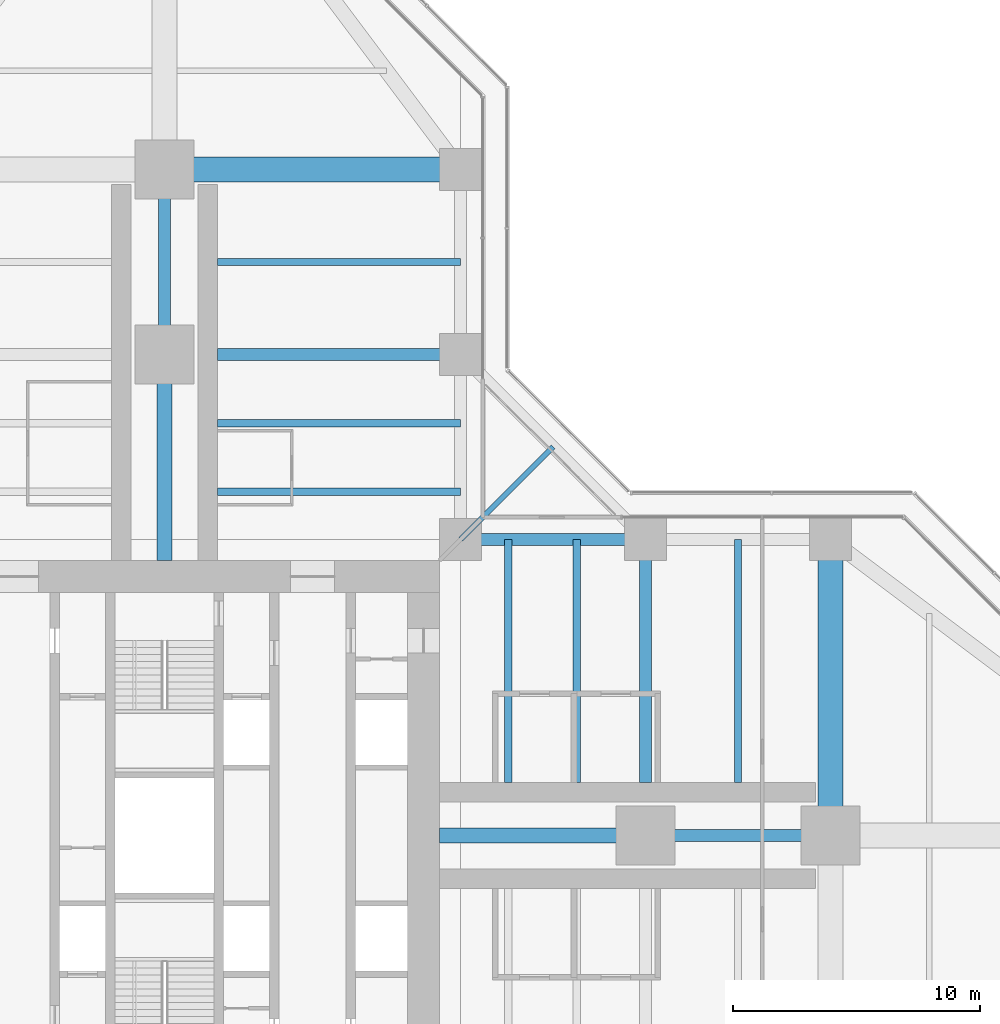
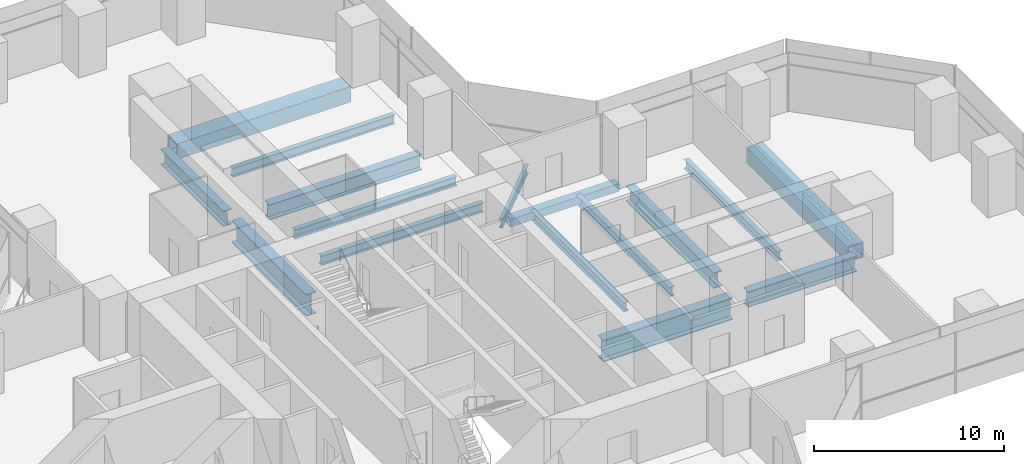
# One storey, part 10 of 22: 16 beams.
"""IFC4 building model written with IfcOpenShell, lengths in metres."""

from ifc_helpers import new_model, si_unit, direction, frame, origin, origin_2d, place, context, subcontext, project, spatial, hollow_rectangle, i_section, extrude, material, material_profile, profile_set, type_object, element, save


model = new_model("IFC4")

# Units and contexts
model_context = context("Model", 3, precision=1e-05, world=origin(), true_north=direction((0.0, 1.0)))
body_context = subcontext(model_context, "Body", "Model", "MODEL_VIEW")
ifc_project = project(units=[si_unit("LENGTHUNIT", "METRE"), si_unit("AREAUNIT", "SQUARE_METRE"), si_unit("VOLUMEUNIT", "CUBIC_METRE"), si_unit("PLANEANGLEUNIT", "RADIAN"), si_unit("MASSUNIT", "GRAM", prefix="KILO")], contexts=[model_context])

# Site, building, storey
site_placement = place(None, origin())
site = spatial("IfcSite", under=ifc_project, at=site_placement, CompositionType="ELEMENT")
building_placement = place(site_placement, origin())
building = spatial("IfcBuilding", under=site, at=building_placement, Name="Mizan Broadcast Tower", CompositionType="ELEMENT")
storey_placement = place(building_placement, frame((0.0, 0.0, 59.10009765625)))
storey = spatial("IfcBuildingStorey", under=building, at=storey_placement, Name="L11", CompositionType="ELEMENT", Elevation=59.10009765625)

# Beams
ifc_material_1 = material(Name="Steel S355", Category="steel")
ifc_material_profile_1 = material_profile(ifc_material_1, hollow_rectangle(XDim=0.5, YDim=0.5, WallThickness=0.030029296875, at=origin_2d()), Name="BOX 500x500x30")
ifc_profile_set_1 = profile_set([ifc_material_profile_1], Name="Steel S355")
beam_type_1 = type_object("IfcBeamType", Name="EDGE BEAM BOX 500x500x30", PredefinedType="SPANDREL", material=ifc_profile_set_1)
beam_1_placement = place(storey_placement, frame((12.449951171875, 12.0, -0.380126953125), z_axis=(1.0, 0.0, 0.0), x_axis=(0.0, 1.0, 0.0)))
element("IfcBeam", 1, at=beam_1_placement, inside=storey, type_object=beam_type_1, Name="Edge beam BOX 500x500x30 L11 east arm", PredefinedType="SPANDREL", context=body_context, shape_type="SweptSolid", body=[
    extrude(hollow_rectangle(XDim=0.5, YDim=0.5, WallThickness=0.030029296875, at=origin_2d()), origin(), (0.0, 0.0, 1.0), 6.60009765625),
])
ifc_material_2 = material(Name="Steel S460", Category="steel")
ifc_material_profile_2 = material_profile(ifc_material_2, hollow_rectangle(XDim=1.0, YDim=1.0, WallThickness=0.080078125, at=origin_2d()), Name="BOX 1000x1000x80")
ifc_profile_set_2 = profile_set([ifc_material_profile_2], Name="Steel S460")
beam_type_2 = type_object("IfcBeamType", Name="GIRDER BOX 1000x1000x80", PredefinedType="BEAM", material=ifc_profile_set_2)
for number, where, z_axis, x_axis, name in (
    (2, (27.0, 11.280029296875, -0.630126953125), (0.0, -1.0, 0.0), (1.0, 0.0, 0.0), "Girder BOX 1000x1000x80 L11 east arm"),
    (3, (11.280029296875, 27.0, -0.630126953125), (-1.0, 0.0, 0.0), (0.0, -1.0, 0.0), "Girder BOX 1000x1000x80 L11 north arm"),
):
    element("IfcBeam", number, at=place(storey_placement, frame(where, z_axis=z_axis, x_axis=x_axis)), inside=storey, type_object=beam_type_2, Name=name, PredefinedType="BEAM", context=body_context, shape_type="SweptSolid", body=[
        extrude(hollow_rectangle(XDim=1.0, YDim=1.0, WallThickness=0.080078125, at=origin_2d()), origin(), (0.0, 0.0, 1.0), 10.56005859375),
    ])
ifc_material_3 = material(Name="Steel S460", Category="steel")
ifc_material_profile_3 = material_profile(ifc_material_3, i_section(OverallWidth=0.5, OverallDepth=1.0, WebThickness=0.02490234375, FlangeThickness=0.050048828125, at=origin_2d()), Name="WPG 1000x500")
ifc_profile_set_3 = profile_set([ifc_material_profile_3], Name="Steel S460")
beam_type_3 = type_object("IfcBeamType", Name="GIRDER WPG 1000x500", PredefinedType="BEAM", material=ifc_profile_set_3)
beam_2_placement = place(storey_placement, frame((19.949951171875, 0.0, -0.630126953125), z_axis=(1.0, 0.0, 0.0), x_axis=(0.0, 1.0, 0.0)))
element("IfcBeam", 4, at=beam_2_placement, inside=storey, type_object=beam_type_3, Name="Girder WPG 1000x500 L11 east arm", PredefinedType="BEAM", context=body_context, shape_type="SweptSolid", body=[
    extrude(i_section(OverallWidth=0.5, OverallDepth=1.0, WebThickness=0.02490234375, FlangeThickness=0.050048828125, at=origin_2d()), origin(), (0.0, 0.0, 1.0), 6.60009765625),
])
beam_3_placement = place(storey_placement, frame((19.5, 11.408935546875, -0.630126953125), z_axis=(0.0, -1.0, 0.0), x_axis=(1.0, 0.0, 0.0)))
element("IfcBeam", 5, at=beam_3_placement, inside=storey, type_object=beam_type_3, Name="Girder WPG 1000x500 L11 east arm", PredefinedType="BEAM", context=body_context, shape_type="SweptSolid", body=[
    extrude(i_section(OverallWidth=0.5, OverallDepth=1.0, WebThickness=0.02490234375, FlangeThickness=0.050048828125, at=origin_2d()), origin(), (0.0, 0.0, 1.0), 9.259033203125),
])
beam_4_placement = place(storey_placement, frame((0.0, 19.949951171875, -0.630126953125), z_axis=(0.0, 1.0, 0.0), x_axis=(-1.0, 0.0, 0.0)))
element("IfcBeam", 6, at=beam_4_placement, inside=storey, type_object=beam_type_3, Name="Girder WPG 1000x500 L11 north arm", PredefinedType="BEAM", context=body_context, shape_type="SweptSolid", body=[
    extrude(i_section(OverallWidth=0.5, OverallDepth=1.0, WebThickness=0.02490234375, FlangeThickness=0.050048828125, at=origin_2d()), origin(), (0.0, 0.0, 1.0), 6.60009765625),
])
beam_5_placement = place(storey_placement, frame((11.408935546875, 19.5, -0.630126953125), z_axis=(-1.0, 0.0, 0.0), x_axis=(0.0, -1.0, 0.0)))
element("IfcBeam", 7, at=beam_5_placement, inside=storey, type_object=beam_type_3, Name="Girder WPG 1000x500 L11 north arm", PredefinedType="BEAM", context=body_context, shape_type="SweptSolid", body=[
    extrude(i_section(OverallWidth=0.5, OverallDepth=1.0, WebThickness=0.02490234375, FlangeThickness=0.050048828125, at=origin_2d()), origin(), (0.0, 0.0, 1.0), 9.259033203125),
])
ifc_material_4 = material(Name="Steel S460", Category="steel")
ifc_material_profile_4 = material_profile(ifc_material_4, i_section(OverallWidth=0.60009765625, OverallDepth=1.39990234375, WebThickness=0.02490234375, FlangeThickness=0.06005859375, at=origin_2d()), Name="WPG 1400x600")
ifc_profile_set_4 = profile_set([ifc_material_profile_4], Name="Steel S460")
beam_type_4 = type_object("IfcBeamType", Name="GIRDER WPG 1400x600", PredefinedType="BEAM", material=ifc_profile_set_4)
for number, where, z_axis, x_axis, name in (
    (8, (11.14990234375, 0.0, -0.830078125), (1.0, 0.0, 0.0), (0.0, 1.0, 0.0), "Girder WPG 1400x600 L11 east arm"),
    (9, (0.0, 11.14990234375, -0.830078125), (0.0, 1.0, 0.0), (-1.0, 0.0, 0.0), "Girder WPG 1400x600 L11 north arm"),
):
    element("IfcBeam", number, at=place(storey_placement, frame(where, z_axis=z_axis, x_axis=x_axis)), inside=storey, type_object=beam_type_4, Name=name, PredefinedType="BEAM", context=body_context, shape_type="SweptSolid", body=[
        extrude(i_section(OverallWidth=0.60009765625, OverallDepth=1.39990234375, WebThickness=0.02490234375, FlangeThickness=0.06005859375, at=origin_2d()), origin(), (0.0, 0.0, 1.0), 7.84912109375),
    ])
ifc_material_5 = material(Name="Steel S355", Category="steel")
ifc_material_profile_5 = material_profile(ifc_material_5, i_section(OverallWidth=0.300048828125, OverallDepth=0.590087890625, WebThickness=0.012939453125, FlangeThickness=0.02490234375, FilletRadius=0.027099609375, at=origin_2d()), Name="HEA 600")
ifc_profile_set_5 = profile_set([ifc_material_profile_5], Name="Steel S355")
beam_type_5 = type_object("IfcBeamType", Name="SECONDARY BEAM HEA 600", PredefinedType="JOIST", material=ifc_profile_set_5)
for number, where, z_axis, x_axis, name in (
    (10, (13.933349609375, 12.0, -0.425048828125), (0.0, -1.0, 0.0), (1.0, 0.0, 0.0), "Secondary beam HEA 600 L11 east arm"),
    (11, (16.716552734375, 12.0, -0.425048828125), (0.0, -1.0, 0.0), (1.0, 0.0, 0.0), "Secondary beam HEA 600 L11 east arm"),
    (12, (23.25, 12.0, -0.425048828125), (0.0, -1.0, 0.0), (1.0, 0.0, 0.0), "Secondary beam HEA 600 L11 east arm"),
    (13, (12.0, 13.933349609375, -0.425048828125), (-1.0, 0.0, 0.0), (0.0, -1.0, 0.0), "Secondary beam HEA 600 L11 north arm"),
    (14, (12.0, 16.716552734375, -0.425048828125), (-1.0, 0.0, 0.0), (0.0, -1.0, 0.0), "Secondary beam HEA 600 L11 north arm"),
    (15, (12.0, 23.25, -0.425048828125), (-1.0, 0.0, 0.0), (0.0, -1.0, 0.0), "Secondary beam HEA 600 L11 north arm"),
):
    element("IfcBeam", number, at=place(storey_placement, frame(where, z_axis=z_axis, x_axis=x_axis)), inside=storey, type_object=beam_type_5, Name=name, PredefinedType="JOIST", context=body_context, shape_type="SweptSolid", body=[
        extrude(i_section(OverallWidth=0.300048828125, OverallDepth=0.590087890625, WebThickness=0.012939453125, FlangeThickness=0.02490234375, FilletRadius=0.027099609375, at=origin_2d()), origin(), (0.0, 0.0, 1.0), 9.85009765625),
    ])
ifc_material_6 = material(Name="Steel S355", Category="steel")
ifc_material_profile_6 = material_profile(ifc_material_6, i_section(OverallWidth=0.2099609375, OverallDepth=0.550048828125, WebThickness=0.010986328125, FlangeThickness=0.01708984375, FilletRadius=0.02392578125, at=origin_2d()), Name="IPE 550")
ifc_profile_set_6 = profile_set([ifc_material_profile_6], Name="Steel S355")
beam_type_6 = type_object("IfcBeamType", Name="SECONDARY BEAM IPE 550", PredefinedType="JOIST", material=ifc_profile_set_6)
beam_6_placement = place(storey_placement, frame((12.0, 12.0, -0.405029296875), z_axis=(0.707106781187, 0.707106781187, 0.0), x_axis=(-0.707106781187, 0.707106781187, 0.0)))
element("IfcBeam", 16, at=beam_6_placement, inside=storey, type_object=beam_type_6, Name="Winter garden beam L11 E", PredefinedType="JOIST", context=body_context, shape_type="SweptSolid", body=[
    extrude(i_section(OverallWidth=0.2099609375, OverallDepth=0.550048828125, WebThickness=0.010986328125, FlangeThickness=0.01708984375, FilletRadius=0.02392578125, at=origin_2d()), origin(), (0.0, 0.0, 1.0), 5.30322265625),
])

save(model, "model.ifc")
